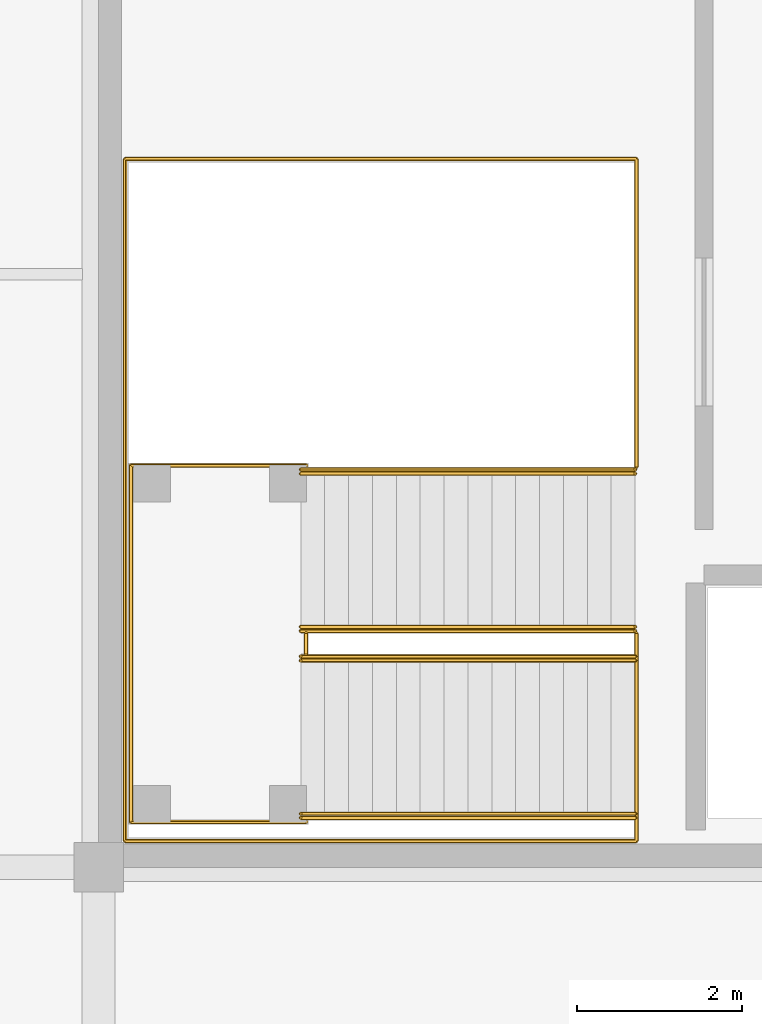
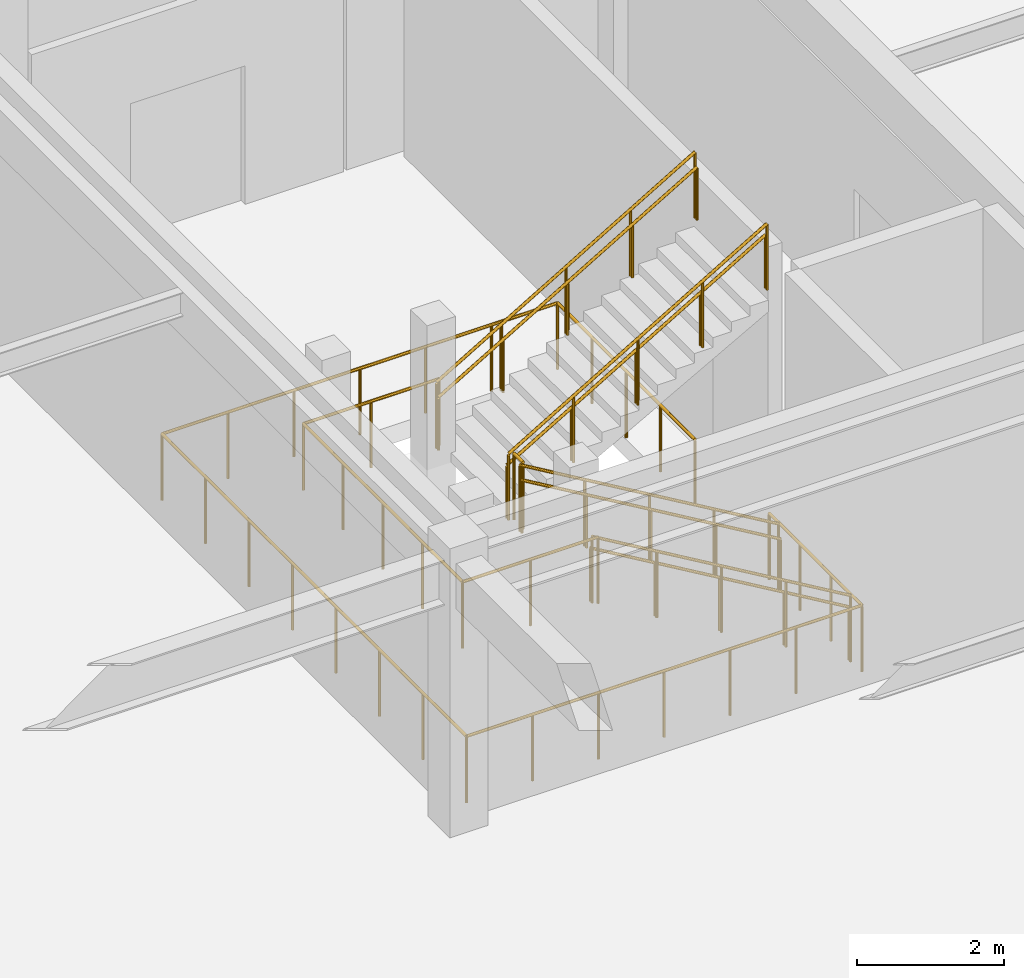
# One storey, part 70 of 82: 11 railings.
"""IFC4 building model written with IfcOpenShell, lengths in metres."""

from ifc_helpers import new_model, si_unit, direction, frame, origin, origin_2d, place, context, subcontext, project, spatial, circle, extrude, material, type_object, element, save


model = new_model("IFC4")

# Units and contexts
model_context = context("Model", 3, precision=1e-05, world=origin(), true_north=direction((0.0, 1.0)))
body_context = subcontext(model_context, "Body", "Model", "MODEL_VIEW")
ifc_project = project(units=[si_unit("LENGTHUNIT", "METRE"), si_unit("AREAUNIT", "SQUARE_METRE"), si_unit("VOLUMEUNIT", "CUBIC_METRE"), si_unit("PLANEANGLEUNIT", "RADIAN"), si_unit("MASSUNIT", "GRAM", prefix="KILO")], contexts=[model_context])

# Site, building, storey
site_placement = place(None, origin())
site = spatial("IfcSite", under=ifc_project, at=site_placement, CompositionType="ELEMENT")
building_placement = place(site_placement, origin())
building = spatial("IfcBuilding", under=site, at=building_placement, Name="Suirenkawa Promenade Aquatics Centre", CompositionType="ELEMENT")
storey_placement = place(building_placement, origin())
storey = spatial("IfcBuildingStorey", under=building, at=storey_placement, Name="L00", CompositionType="ELEMENT", Elevation=0.0)

# Railings
ifc_material = material(Name="Marine-grade stainless steel Grade 316L", Category="steel")
railing_type_1 = type_object("IfcRailingType", Name="RLT-GUARD-1120", PredefinedType="GUARDRAIL", material=ifc_material)
for number, where, name in (
    (1, (64.114990234375, 110.56005859375, 0.0), "Guardrail GRD-01 RL-0111"),
    (2, (64.114990234375, 108.60009765625, 0.0), "Guardrail GRD-01 RL-0113"),
):
    element("IfcRailing", number, at=place(storey_placement, frame(where)), inside=storey, type_object=railing_type_1, Name=name, PredefinedType="GUARDRAIL", context=body_context, shape_type="SweptSolid", body=[
        extrude(circle(Radius=0.02392578125, at=origin_2d()), frame((0.0, 0.0, 1.09619140625), z_axis=(-0.8608543813, 0.0, 0.508851387142), x_axis=(0.0, -1.0, 0.0)), (0.0, 0.0, 1.0), 4.71630859375),
        extrude(circle(Radius=0.02099609375, at=origin_2d()), origin(), (0.0, 0.0, 1.0), 1.072021484375),
        extrude(circle(Radius=0.02099609375, at=origin_2d()), frame((-1.01513671875, 0.0, 0.60009765625)), (0.0, 0.0, 1.0), 1.072021484375),
        extrude(circle(Radius=0.02099609375, at=origin_2d()), frame((-2.030029296875, 0.0, 1.199951171875)), (0.0, 0.0, 1.0), 1.072021484375),
        extrude(circle(Radius=0.02099609375, at=origin_2d()), frame((-3.044921875, 0.0, 1.7998046875)), (0.0, 0.0, 1.0), 1.072021484375),
        extrude(circle(Radius=0.02099609375, at=origin_2d()), frame((-4.06005859375, 0.0, 2.39990234375)), (0.0, 0.0, 1.0), 1.072021484375),
    ])
for number, where, name in (
    (3, (60.054931640625, 110.8701171875, 2.39990234375), "Guardrail GRD-01 RL-0115"),
    (4, (60.054931640625, 112.830078125, 2.39990234375), "Guardrail GRD-01 RL-0117"),
):
    element("IfcRailing", number, at=place(storey_placement, frame(where)), inside=storey, type_object=railing_type_1, Name=name, PredefinedType="GUARDRAIL", context=body_context, shape_type="SweptSolid", body=[
        extrude(circle(Radius=0.02392578125, at=origin_2d()), frame((0.0, 0.0, 1.09619140625), z_axis=(0.860831705478, 0.0, 0.508889747237), x_axis=(0.0, 1.0, 0.0)), (0.0, 0.0, 1.0), 4.716552734375),
        extrude(circle(Radius=0.02099609375, at=origin_2d()), origin(), (0.0, 0.0, 1.0), 1.072021484375),
        extrude(circle(Radius=0.02099609375, at=origin_2d()), frame((1.01513671875, 0.0, 0.60009765625)), (0.0, 0.0, 1.0), 1.072021484375),
        extrude(circle(Radius=0.02099609375, at=origin_2d()), frame((2.030029296875, 0.0, 1.2001953125)), (0.0, 0.0, 1.0), 1.072021484375),
        extrude(circle(Radius=0.02099609375, at=origin_2d()), frame((3.044921875, 0.0, 1.800048828125)), (0.0, 0.0, 1.0), 1.072021484375),
        extrude(circle(Radius=0.02099609375, at=origin_2d()), frame((4.06005859375, 0.0, 2.400146484375)), (0.0, 0.0, 1.0), 1.072021484375),
    ])
railing_1_placement = place(storey_placement, frame((60.1201171875, 108.550048828125, 2.39990234375)))
element("IfcRailing", 5, at=railing_1_placement, inside=storey, type_object=railing_type_1, Name="Guardrail GRD-01 RL-0119", PredefinedType="GUARDRAIL", context=body_context, shape_type="SweptSolid", body=[
    extrude(circle(Radius=0.02392578125, at=origin_2d()), frame((0.0, 0.0, 1.09619140625), z_axis=(-1.0, 0.0, 0.0), x_axis=(0.0, -1.0, 0.0)), (0.0, 0.0, 1.0), 2.130126953125),
    extrude(circle(Radius=0.02392578125, at=origin_2d()), frame((-2.130126953125, 0.0, 1.09619140625), z_axis=(0.0, 1.0, 0.0), x_axis=(-1.0, 0.0, 0.0)), (0.0, 0.0, 1.0), 4.329833984375),
    extrude(circle(Radius=0.02392578125, at=origin_2d()), frame((-2.130126953125, 4.329833984375, 1.09619140625), z_axis=(1.0, 0.0, 0.0), x_axis=(0.0, 1.0, 0.0)), (0.0, 0.0, 1.0), 2.130126953125),
    extrude(circle(Radius=0.02099609375, at=origin_2d()), origin(), (0.0, 0.0, 1.0), 1.072021484375),
    extrude(circle(Radius=0.02099609375, at=origin_2d()), frame((-1.06494140625, 0.0, 0.0)), (0.0, 0.0, 1.0), 1.072021484375),
    extrude(circle(Radius=0.02099609375, at=origin_2d()), frame((-2.130126953125, 0.0, 0.0)), (0.0, 0.0, 1.0), 1.072021484375),
    extrude(circle(Radius=0.02099609375, at=origin_2d()), frame((-2.130126953125, 1.08251953125, 0.0)), (0.0, 0.0, 1.0), 1.072021484375),
    extrude(circle(Radius=0.02099609375, at=origin_2d()), frame((-2.130126953125, 2.1650390625, 0.0)), (0.0, 0.0, 1.0), 1.072021484375),
    extrude(circle(Radius=0.02099609375, at=origin_2d()), frame((-2.130126953125, 3.247314453125, 0.0)), (0.0, 0.0, 1.0), 1.072021484375),
    extrude(circle(Radius=0.02099609375, at=origin_2d()), frame((-2.130126953125, 4.329833984375, 0.0)), (0.0, 0.0, 1.0), 1.072021484375),
    extrude(circle(Radius=0.02099609375, at=origin_2d()), frame((-1.06494140625, 4.329833984375, 0.0)), (0.0, 0.0, 1.0), 1.072021484375),
    extrude(circle(Radius=0.02099609375, at=origin_2d()), frame((0.0, 4.329833984375, 0.0)), (0.0, 0.0, 1.0), 1.072021484375),
])
railing_2_placement = place(storey_placement, frame((60.1201171875, 110.590087890625, 2.39990234375)))
element("IfcRailing", 6, at=railing_2_placement, inside=storey, type_object=railing_type_1, Name="Guardrail GRD-01 RL-0120", PredefinedType="GUARDRAIL", context=body_context, shape_type="SweptSolid", body=[
    extrude(circle(Radius=0.02392578125, at=origin_2d()), frame((0.0, 0.0, 1.09619140625), z_axis=(0.0, 1.0, 0.0), x_axis=(-1.0, 0.0, 0.0)), (0.0, 0.0, 1.0), 0.25),
    extrude(circle(Radius=0.02099609375, at=origin_2d()), origin(), (0.0, 0.0, 1.0), 1.072021484375),
    extrude(circle(Radius=0.02099609375, at=origin_2d()), frame((0.0, 0.25, 0.0)), (0.0, 0.0, 1.0), 1.072021484375),
])
railing_3_placement = place(storey_placement, frame((64.1298828125, 112.860107421875, 0.0)))
element("IfcRailing", 7, at=railing_3_placement, inside=storey, type_object=railing_type_1, Name="Guardrail GRD-01 RL-0412", PredefinedType="GUARDRAIL", context=body_context, shape_type="SweptSolid", body=[
    extrude(circle(Radius=0.02392578125, at=origin_2d()), frame((0.0, 0.0, 1.09619140625), z_axis=(0.0, 1.0, 0.0), x_axis=(-1.0, 0.0, 0.0)), (0.0, 0.0, 1.0), 3.739990234375),
    extrude(circle(Radius=0.02392578125, at=origin_2d()), frame((0.0, 3.739990234375, 1.09619140625), z_axis=(-1.0, 0.0, 0.0), x_axis=(0.0, -1.0, 0.0)), (0.0, 0.0, 1.0), 6.2099609375),
    extrude(circle(Radius=0.02392578125, at=origin_2d()), frame((-6.2099609375, 3.739990234375, 1.09619140625), z_axis=(0.0, -1.0, 0.0), x_axis=(1.0, 0.0, 0.0)), (0.0, 0.0, 1.0), 8.280029296875),
    extrude(circle(Radius=0.02392578125, at=origin_2d()), frame((-6.2099609375, -4.5400390625, 1.09619140625), z_axis=(1.0, 0.0, 0.0), x_axis=(0.0, 1.0, 0.0)), (0.0, 0.0, 1.0), 6.2099609375),
    extrude(circle(Radius=0.02392578125, at=origin_2d()), frame((0.0, -4.5400390625, 1.09619140625), z_axis=(0.0, 1.0, 0.0), x_axis=(-1.0, 0.0, 0.0)), (0.0, 0.0, 1.0), 2.52001953125),
    extrude(circle(Radius=0.02099609375, at=origin_2d()), origin(), (0.0, 0.0, 1.0), 1.072021484375),
    extrude(circle(Radius=0.02099609375, at=origin_2d()), frame((0.0, 0.93505859375, 0.0)), (0.0, 0.0, 1.0), 1.072021484375),
    extrude(circle(Radius=0.02099609375, at=origin_2d()), frame((0.0, 1.8701171875, 0.0)), (0.0, 0.0, 1.0), 1.072021484375),
    extrude(circle(Radius=0.02099609375, at=origin_2d()), frame((0.0, 2.804931640625, 0.0)), (0.0, 0.0, 1.0), 1.072021484375),
    extrude(circle(Radius=0.02099609375, at=origin_2d()), frame((0.0, 3.739990234375, 0.0)), (0.0, 0.0, 1.0), 1.072021484375),
    extrude(circle(Radius=0.02099609375, at=origin_2d()), frame((-1.034912109375, 3.739990234375, 0.0)), (0.0, 0.0, 1.0), 1.072021484375),
    extrude(circle(Radius=0.02099609375, at=origin_2d()), frame((-2.070068359375, 3.739990234375, 0.0)), (0.0, 0.0, 1.0), 1.072021484375),
    extrude(circle(Radius=0.02099609375, at=origin_2d()), frame((-3.10498046875, 3.739990234375, 0.0)), (0.0, 0.0, 1.0), 1.072021484375),
    extrude(circle(Radius=0.02099609375, at=origin_2d()), frame((-4.139892578125, 3.739990234375, 0.0)), (0.0, 0.0, 1.0), 1.072021484375),
    extrude(circle(Radius=0.02099609375, at=origin_2d()), frame((-5.175048828125, 3.739990234375, 0.0)), (0.0, 0.0, 1.0), 1.072021484375),
    extrude(circle(Radius=0.02099609375, at=origin_2d()), frame((-6.2099609375, 3.739990234375, 0.0)), (0.0, 0.0, 1.0), 1.072021484375),
    extrude(circle(Radius=0.02099609375, at=origin_2d()), frame((-6.2099609375, 2.55712890625, 0.0)), (0.0, 0.0, 1.0), 1.072021484375),
    extrude(circle(Radius=0.02099609375, at=origin_2d()), frame((-6.2099609375, 1.374267578125, 0.0)), (0.0, 0.0, 1.0), 1.072021484375),
    extrude(circle(Radius=0.02099609375, at=origin_2d()), frame((-6.2099609375, 0.19140625, 0.0)), (0.0, 0.0, 1.0), 1.072021484375),
    extrude(circle(Radius=0.02099609375, at=origin_2d()), frame((-6.2099609375, -0.991455078125, 0.0)), (0.0, 0.0, 1.0), 1.072021484375),
    extrude(circle(Radius=0.02099609375, at=origin_2d()), frame((-6.2099609375, -2.17431640625, 0.0)), (0.0, 0.0, 1.0), 1.072021484375),
    extrude(circle(Radius=0.02099609375, at=origin_2d()), frame((-6.2099609375, -3.357177734375, 0.0)), (0.0, 0.0, 1.0), 1.072021484375),
    extrude(circle(Radius=0.02099609375, at=origin_2d()), frame((-6.2099609375, -4.5400390625, 0.0)), (0.0, 0.0, 1.0), 1.072021484375),
    extrude(circle(Radius=0.02099609375, at=origin_2d()), frame((-5.175048828125, -4.5400390625, 0.0)), (0.0, 0.0, 1.0), 1.072021484375),
    extrude(circle(Radius=0.02099609375, at=origin_2d()), frame((-4.139892578125, -4.5400390625, 0.0)), (0.0, 0.0, 1.0), 1.072021484375),
    extrude(circle(Radius=0.02099609375, at=origin_2d()), frame((-3.10498046875, -4.5400390625, 0.0)), (0.0, 0.0, 1.0), 1.072021484375),
    extrude(circle(Radius=0.02099609375, at=origin_2d()), frame((-2.070068359375, -4.5400390625, 0.0)), (0.0, 0.0, 1.0), 1.072021484375),
    extrude(circle(Radius=0.02099609375, at=origin_2d()), frame((-1.034912109375, -4.5400390625, 0.0)), (0.0, 0.0, 1.0), 1.072021484375),
    extrude(circle(Radius=0.02099609375, at=origin_2d()), frame((0.0, -4.5400390625, 0.0)), (0.0, 0.0, 1.0), 1.072021484375),
    extrude(circle(Radius=0.02099609375, at=origin_2d()), frame((0.0, -3.699951171875, 0.0)), (0.0, 0.0, 1.0), 1.072021484375),
    extrude(circle(Radius=0.02099609375, at=origin_2d()), frame((0.0, -2.860107421875, 0.0)), (0.0, 0.0, 1.0), 1.072021484375),
    extrude(circle(Radius=0.02099609375, at=origin_2d()), frame((0.0, -2.02001953125, 0.0)), (0.0, 0.0, 1.0), 1.072021484375),
])
railing_type_2 = type_object("IfcRailingType", Name="RLT-HANDRAIL-900", PredefinedType="HANDRAIL", material=ifc_material)
for number, where, name in (
    (8, (64.114990234375, 110.510009765625, 0.0), "Handrail HRL-01 RL-0112"),
    (9, (64.114990234375, 108.64990234375, 0.0), "Handrail HRL-01 RL-0114"),
):
    element("IfcRailing", number, at=place(storey_placement, frame(where)), inside=storey, type_object=railing_type_2, Name=name, PredefinedType="HANDRAIL", context=body_context, shape_type="SweptSolid", body=[
        extrude(circle(Radius=0.02392578125, at=origin_2d()), frame((0.0, 0.0, 0.8759765625), z_axis=(-0.8608543813, 0.0, 0.508851387142), x_axis=(0.0, -1.0, 0.0)), (0.0, 0.0, 1.0), 4.71630859375),
        extrude(circle(Radius=0.02099609375, at=origin_2d()), origin(), (0.0, 0.0, 1.0), 0.851806640625),
        extrude(circle(Radius=0.02099609375, at=origin_2d()), frame((-1.01513671875, 0.0, 0.60009765625)), (0.0, 0.0, 1.0), 0.851806640625),
        extrude(circle(Radius=0.02099609375, at=origin_2d()), frame((-2.030029296875, 0.0, 1.199951171875)), (0.0, 0.0, 1.0), 0.851806640625),
        extrude(circle(Radius=0.02099609375, at=origin_2d()), frame((-3.044921875, 0.0, 1.7998046875)), (0.0, 0.0, 1.0), 0.851806640625),
        extrude(circle(Radius=0.02099609375, at=origin_2d()), frame((-4.06005859375, 0.0, 2.39990234375)), (0.0, 0.0, 1.0), 0.851806640625),
    ])
for number, where, name in (
    (10, (60.054931640625, 110.919921875, 2.39990234375), "Handrail HRL-01 RL-0116"),
    (11, (60.054931640625, 112.780029296875, 2.39990234375), "Handrail HRL-01 RL-0118"),
):
    element("IfcRailing", number, at=place(storey_placement, frame(where)), inside=storey, type_object=railing_type_2, Name=name, PredefinedType="HANDRAIL", context=body_context, shape_type="SweptSolid", body=[
        extrude(circle(Radius=0.02392578125, at=origin_2d()), frame((0.0, 0.0, 0.8759765625), z_axis=(0.860831705478, 0.0, 0.508889747237), x_axis=(0.0, 1.0, 0.0)), (0.0, 0.0, 1.0), 4.716552734375),
        extrude(circle(Radius=0.02099609375, at=origin_2d()), origin(), (0.0, 0.0, 1.0), 0.851806640625),
        extrude(circle(Radius=0.02099609375, at=origin_2d()), frame((1.01513671875, 0.0, 0.60009765625)), (0.0, 0.0, 1.0), 0.851806640625),
        extrude(circle(Radius=0.02099609375, at=origin_2d()), frame((2.030029296875, 0.0, 1.2001953125)), (0.0, 0.0, 1.0), 0.851806640625),
        extrude(circle(Radius=0.02099609375, at=origin_2d()), frame((3.044921875, 0.0, 1.800048828125)), (0.0, 0.0, 1.0), 0.851806640625),
        extrude(circle(Radius=0.02099609375, at=origin_2d()), frame((4.06005859375, 0.0, 2.400146484375)), (0.0, 0.0, 1.0), 0.851806640625),
    ])

save(model, "model.ifc")
